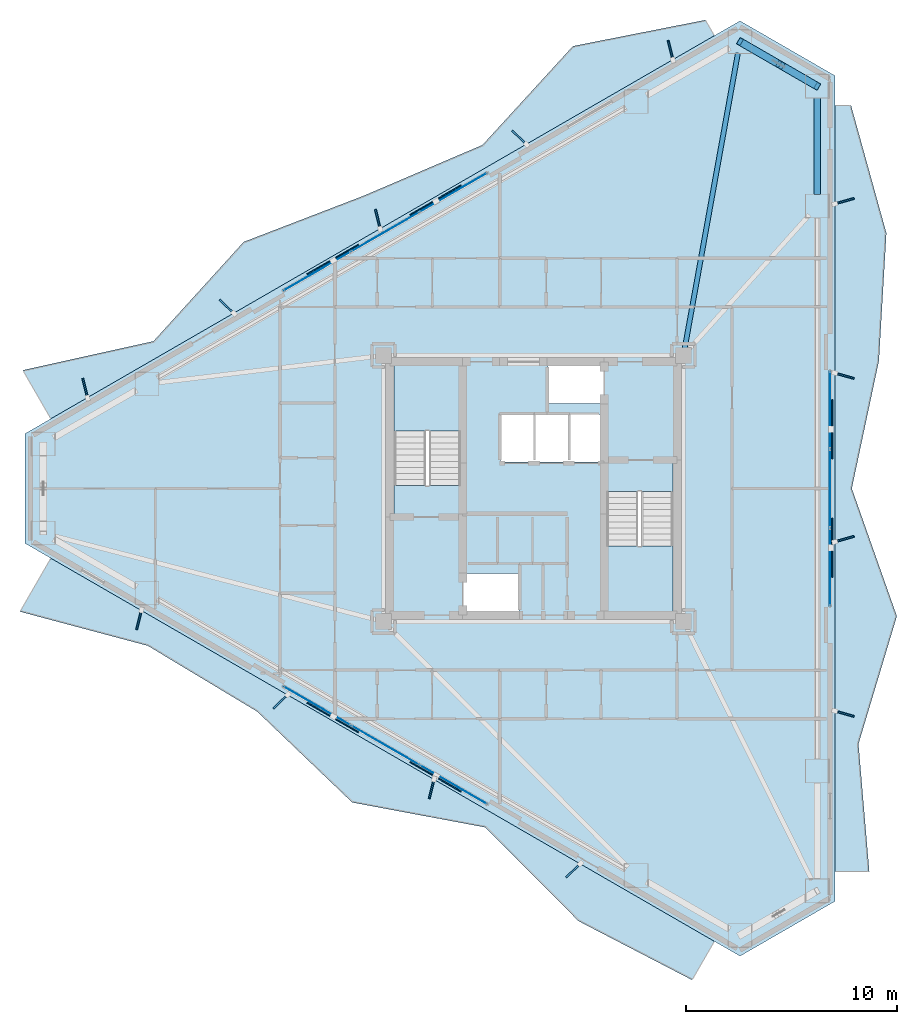
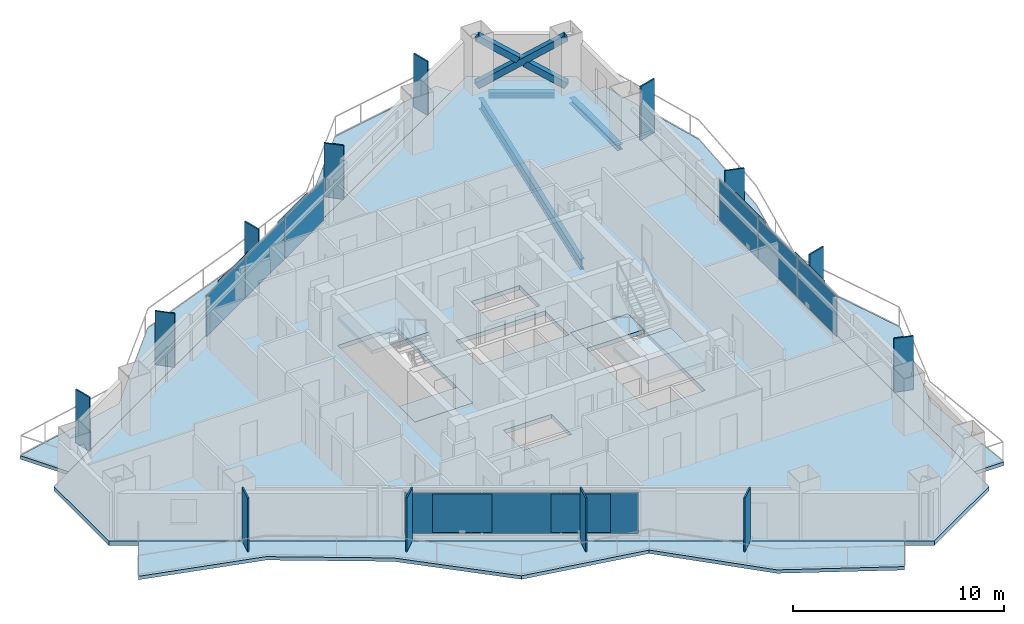
# One storey, part 14 of 22: 28 plates, 8 slabs, 3 beams, 3 members, 5 elements without a shape of their own.
"""IFC4 building model written with IfcOpenShell, lengths in metres."""

from ifc_helpers import new_model, si_unit, direction, frame, origin, origin_2d, place, context, subcontext, project, spatial, polyline, rectangle, hollow_rectangle, i_section, outline, extrude, material, layer, layer_set, material_profile, profile_set, type_object, element, aggregate, save


model = new_model("IFC4")

# Units and contexts
model_context = context("Model", 3, precision=1e-05, world=origin(), true_north=direction((0.0, 1.0)))
body_context = subcontext(model_context, "Body", "Model", "MODEL_VIEW")
ifc_project = project(units=[si_unit("LENGTHUNIT", "METRE"), si_unit("AREAUNIT", "SQUARE_METRE"), si_unit("VOLUMEUNIT", "CUBIC_METRE"), si_unit("PLANEANGLEUNIT", "RADIAN"), si_unit("MASSUNIT", "GRAM", prefix="KILO")], contexts=[model_context])

# Site, building, storey
site_placement = place(None, origin())
site = spatial("IfcSite", under=ifc_project, at=site_placement, CompositionType="ELEMENT")
building_placement = place(site_placement, origin())
building = spatial("IfcBuilding", under=site, at=building_placement, Name="Mersakhor Tower and Convention Hall", CompositionType="ELEMENT")
storey_placement = place(building_placement, frame((0.0, 0.0, 99.89990234375)))
storey = spatial("IfcBuildingStorey", under=building, at=storey_placement, Name="L27", CompositionType="ELEMENT", Elevation=99.89990234375)

# Beams
ifc_material_1 = material(Name="Steel S355", Category="steel")
ifc_material_profile_1 = material_profile(ifc_material_1, i_section(OverallWidth=0.22900390625, OverallDepth=0.6123046875, WebThickness=0.011962890625, FlangeThickness=0.01953125, at=origin_2d()), Name="UB 610x229x125")
ifc_profile_set_1 = profile_set([ifc_material_profile_1], Name="Steel S355")
beam_type_1 = type_object("IfcBeamType", Name="BM-PR-610", PredefinedType="BEAM", material=ifc_profile_set_1)
beam_1_placement = place(storey_placement, frame((36.1630859375, 33.3994140625, -0.555908203125), z_axis=(0.177407335198, 0.984137509405, 0.0), x_axis=(-0.984137509405, 0.177407335198, 0.0)))
element("IfcBeam", 1, at=beam_1_placement, inside=storey, type_object=beam_type_1, Name="L27 Primary Floor Girder FG-2", PredefinedType="BEAM", context=body_context, shape_type="SweptSolid", body=[
    extrude(i_section(OverallWidth=0.22900390625, OverallDepth=0.6123046875, WebThickness=0.011962890625, FlangeThickness=0.01953125, at=origin_2d()), origin(), (0.0, 0.0, 1.0), 14.188232421875),
])
ifc_material_2 = material(Name="Steel S355", Category="steel")
ifc_material_profile_2 = material_profile(ifc_material_2, i_section(OverallWidth=0.30908203125, OverallDepth=0.320556640625, WebThickness=0.013916015625, FlangeThickness=0.021728515625, at=origin_2d()), Name="UC 305x305x137")
ifc_profile_set_2 = profile_set([ifc_material_profile_2], Name="Steel S355")
beam_type_2 = type_object("IfcBeamType", Name="BM-SPD-UC305", PredefinedType="SPANDREL", material=ifc_profile_set_2)
beam_2_placement = place(storey_placement, frame((39.25927734375, 47.631103515625, -0.41015625), z_axis=(0.866052319632, -0.499953377486, 0.0), x_axis=(0.499953377486, 0.866052319632, 0.0)))
element("IfcBeam", 2, at=beam_2_placement, inside=storey, type_object=beam_type_2, Name="L27 Perimeter Spandrel Beam SPB-04", PredefinedType="SPANDREL", context=body_context, shape_type="SweptSolid", body=[
    extrude(i_section(OverallWidth=0.30908203125, OverallDepth=0.320556640625, WebThickness=0.013916015625, FlangeThickness=0.021728515625, at=origin_2d()), origin(), (0.0, 0.0, 1.0), 3.111572265625),
])
beam_3_placement = place(storey_placement, frame((42.4345703125, 45.242919921875, -0.41015625), z_axis=(0.0, -1.0, 0.0), x_axis=(1.0, 0.0, 0.0)))
element("IfcBeam", 3, at=beam_3_placement, inside=storey, type_object=beam_type_2, Name="L27 Perimeter Spandrel Beam SPB-05", PredefinedType="SPANDREL", context=body_context, shape_type="SweptSolid", body=[
    extrude(i_section(OverallWidth=0.30908203125, OverallDepth=0.320556640625, WebThickness=0.013916015625, FlangeThickness=0.021728515625, at=origin_2d()), origin(), (0.0, 0.0, 1.0), 4.566162109375),
])

# Members
ifc_material_3 = material(Name="Steel S460", Category="steel")
ifc_material_profile_3 = material_profile(ifc_material_3, hollow_rectangle(XDim=0.35009765625, YDim=0.35009765625, WallThickness=0.02001953125, at=origin_2d()), Name="SHS 350x350x20")
ifc_profile_set_3 = profile_set([ifc_material_profile_3], Name="Steel S460")
member_type = type_object("IfcMemberType", Name="MB-BRC-SHS350", PredefinedType="BRACE", material=ifc_profile_set_3)
member_placement = place(storey_placement, frame((38.77880859375, 47.90869140625, 0.150146484375), z_axis=(0.725633725484, -0.418933054415, 0.545848689986), x_axis=(0.49998946241, 0.866031487579, 0.0)))
element("IfcMember", 4, at=member_placement, inside=storey, type_object=member_type, Name="L27 Chamfer Braced Frame Diagonal CB-1A", PredefinedType="BRACE", context=body_context, shape_type="SweptSolid", body=[
    extrude(hollow_rectangle(XDim=0.35009765625, YDim=0.35009765625, WallThickness=0.02001953125, at=origin_2d()), origin(), (0.0, 0.0, 1.0), 5.0380859375),
])
for number, where, z_axis, x_axis, name in (
    (5, (42.4345703125, 45.798095703125, 0.150146484375), (-0.725684866011, 0.418886985747, 0.545816057307), (-0.499921796684, -0.866070549782, 0.0), "L27 Chamfer Braced Frame Diagonal CB-1B Lower Half"),
    (6, (40.4619140625, 46.93701171875, 1.6337890625), (-0.725593346201, 0.41889491121, 0.545931634283), (-0.499976186015, -0.866039152359, 0.0), "L27 Chamfer Braced Frame Diagonal CB-1B Upper Half"),
):
    element("IfcMember", number, at=place(storey_placement, frame(where, z_axis=z_axis, x_axis=x_axis)), inside=storey, type_object=member_type, Name=name, PredefinedType="BRACE", context=body_context, shape_type="SweptSolid", body=[
        extrude(hollow_rectangle(XDim=0.35009765625, YDim=0.35009765625, WallThickness=0.02001953125, at=origin_2d()), origin(), (0.0, 0.0, 1.0), 2.319580078125),
    ])

# Curtain wall, plates
ifc_material_4 = material(Name="Dark solar low-E aluminium curtain wall", Category="aluminium")
ifc_layer_1 = layer(ifc_material_4, 0.159912109375)
ifc_layer_set_1 = layer_set([ifc_layer_1], Name="Dark solar low-E aluminium curtain wall")
curtain_wall_type = type_object("IfcCurtainWallType", Name="CW-SYS-01", PredefinedType="USERDEFINED", material=ifc_layer_set_1)
curtain_wall_1_placement = place(storey_placement, origin())
curtain_wall_1 = element("IfcCurtainWall", 7, at=curtain_wall_1_placement, inside=storey, type_object=curtain_wall_type, Name="L27 Dark-Glass Curtain Wall F1-B2", ObjectType="CURTAIN WALL", PredefinedType="USERDEFINED")
ifc_material_5 = material(Name="Dark solar double glazing", Category="glass")
ifc_layer_2 = layer(ifc_material_5, 0.02392578125)
ifc_layer_set_2 = layer_set([ifc_layer_2], Name="Dark solar double glazing")
plate_type_1 = type_object("IfcPlateType", Name="CWP-GLZ-24", PredefinedType="CURTAIN_PANEL", material=ifc_layer_set_2)
plate_1_placement = place(storey_placement, frame((18.75732421875, 37.042236328125, 0.260009765625), z_axis=(0.0, 0.0, 1.0), x_axis=(0.866026613339, 0.499997904985, 0.0)))
plate_1 = element("IfcPlate", 8, at=plate_1_placement, type_object=plate_type_1, Name="CW-01 panel 1.1", PredefinedType="CURTAIN_PANEL", context=body_context, shape_type="SweptSolid", body=[
    extrude(rectangle(XDim=3.630615234375, YDim=0.02392578125, at=origin_2d()), origin(), (0.0, 0.0, 1.0), 2.35009765625),
])
plate_2_placement = place(storey_placement, frame((21.982666015625, 38.904296875, 0.260009765625), z_axis=(0.0, 0.0, 1.0), x_axis=(0.866026613339, 0.499997904985, 0.0)))
plate_2 = element("IfcPlate", 9, at=plate_2_placement, type_object=plate_type_1, Name="CW-01 panel 2.1", PredefinedType="CURTAIN_PANEL", context=body_context, shape_type="SweptSolid", body=[
    extrude(rectangle(XDim=3.668212890625, YDim=0.02392578125, at=origin_2d()), origin(), (0.0, 0.0, 1.0), 2.35009765625),
])
plate_3_placement = place(storey_placement, frame((25.2080078125, 40.7666015625, 0.260009765625), z_axis=(0.0, 0.0, 1.0), x_axis=(0.866026613339, 0.499997904985, 0.0)))
plate_3 = element("IfcPlate", 10, at=plate_3_placement, type_object=plate_type_1, Name="CW-01 panel 3.1", PredefinedType="CURTAIN_PANEL", context=body_context, shape_type="SweptSolid", body=[
    extrude(rectangle(XDim=3.630615234375, YDim=0.02392578125, at=origin_2d()), origin(), (0.0, 0.0, 1.0), 2.35009765625),
])
aggregate(curtain_wall_1, [plate_1, plate_2, plate_3])

curtain_wall_2_placement = place(storey_placement, origin())
curtain_wall_2 = element("IfcCurtainWall", 11, at=curtain_wall_2_placement, inside=storey, type_object=curtain_wall_type, Name="L27 Dark-Glass Curtain Wall F2-B2", ObjectType="CURTAIN WALL", PredefinedType="USERDEFINED")
plate_4_placement = place(storey_placement, frame((43.03466796875, 30.474365234375, 0.260009765625), z_axis=(0.0, 0.0, 1.0), x_axis=(0.0, -1.0, 0.0)))
plate_4 = element("IfcPlate", 12, at=plate_4_placement, type_object=plate_type_1, Name="CW-01 panel 1.1", PredefinedType="CURTAIN_PANEL", context=body_context, shape_type="SweptSolid", body=[
    extrude(rectangle(XDim=3.630615234375, YDim=0.02392578125, at=origin_2d()), origin(), (0.0, 0.0, 1.0), 2.35009765625),
])
plate_5_placement = place(storey_placement, frame((43.03466796875, 26.75, 0.260009765625), z_axis=(0.0, 0.0, 1.0), x_axis=(0.0, -1.0, 0.0)))
plate_5 = element("IfcPlate", 13, at=plate_5_placement, type_object=plate_type_1, Name="CW-01 panel 2.1", PredefinedType="CURTAIN_PANEL", context=body_context, shape_type="SweptSolid", body=[
    extrude(rectangle(XDim=3.668212890625, YDim=0.02392578125, at=origin_2d()), origin(), (0.0, 0.0, 1.0), 2.35009765625),
])
plate_6_placement = place(storey_placement, frame((43.03466796875, 23.025634765625, 0.260009765625), z_axis=(0.0, 0.0, 1.0), x_axis=(0.0, -1.0, 0.0)))
plate_6 = element("IfcPlate", 14, at=plate_6_placement, type_object=plate_type_1, Name="CW-01 panel 3.1", PredefinedType="CURTAIN_PANEL", context=body_context, shape_type="SweptSolid", body=[
    extrude(rectangle(XDim=3.630615234375, YDim=0.02392578125, at=origin_2d()), origin(), (0.0, 0.0, 1.0), 2.35009765625),
])
aggregate(curtain_wall_2, [plate_4, plate_5, plate_6])

curtain_wall_3_placement = place(storey_placement, origin())
curtain_wall_3 = element("IfcCurtainWall", 15, at=curtain_wall_3_placement, inside=storey, type_object=curtain_wall_type, Name="L27 Dark-Glass Curtain Wall F3-B2", ObjectType="CURTAIN WALL", PredefinedType="USERDEFINED")
plate_7_placement = place(storey_placement, frame((25.2080078125, 12.7333984375, 0.260009765625), z_axis=(0.0, 0.0, 1.0), x_axis=(-0.866026613339, 0.499997904985, 0.0)))
plate_7 = element("IfcPlate", 16, at=plate_7_placement, type_object=plate_type_1, Name="CW-01 panel 1.1", PredefinedType="CURTAIN_PANEL", context=body_context, shape_type="SweptSolid", body=[
    extrude(rectangle(XDim=3.630615234375, YDim=0.02392578125, at=origin_2d()), origin(), (0.0, 0.0, 1.0), 2.35009765625),
])
plate_8_placement = place(storey_placement, frame((21.982666015625, 14.595703125, 0.260009765625), z_axis=(0.0, 0.0, 1.0), x_axis=(-0.866026613339, 0.499997904985, 0.0)))
plate_8 = element("IfcPlate", 17, at=plate_8_placement, type_object=plate_type_1, Name="CW-01 panel 2.1", PredefinedType="CURTAIN_PANEL", context=body_context, shape_type="SweptSolid", body=[
    extrude(rectangle(XDim=3.668212890625, YDim=0.02392578125, at=origin_2d()), origin(), (0.0, 0.0, 1.0), 2.35009765625),
])
plate_9_placement = place(storey_placement, frame((18.75732421875, 16.457763671875, 0.260009765625), z_axis=(0.0, 0.0, 1.0), x_axis=(-0.866026613339, 0.499997904985, 0.0)))
plate_9 = element("IfcPlate", 18, at=plate_9_placement, type_object=plate_type_1, Name="CW-01 panel 3.1", PredefinedType="CURTAIN_PANEL", context=body_context, shape_type="SweptSolid", body=[
    extrude(rectangle(XDim=3.630615234375, YDim=0.02392578125, at=origin_2d()), origin(), (0.0, 0.0, 1.0), 2.35009765625),
])
aggregate(curtain_wall_3, [plate_7, plate_8, plate_9])

# Plates
ifc_material_6 = material(Name="Ceramic-clad aluminium Zone 2 emerald-teal", Category="aluminium")
ifc_material_7 = material(Name="Ceramic-clad aluminium Zone 1 cobalt-slate", Category="masonry")
ifc_layer_3 = layer(ifc_material_7, 0.080078125)
ifc_layer_set_3 = layer_set([ifc_layer_3], Name="Ceramic-clad aluminium Zone 1 cobalt-slate")
plate_type_2 = type_object("IfcPlateType", Name="PL-FIN-80", PredefinedType="USERDEFINED", material=ifc_layer_set_3)
for number, where, z_axis, x_axis, name in (
    (19, (7.7763671875, 31.4951171875, 0.0), (0.0, 0.0, 1.0), (-0.2419218956, 0.970295726276, 0.0), "L27 Zone 2 Coloured Brise-Soleil Fin F1-1"),
    (20, (14.477783203125, 35.364013671875, 0.0), (0.0, 0.0, 1.0), (-0.719339800339, 0.694658370459, 0.0), "L27 Zone 2 Coloured Brise-Soleil Fin F1-2"),
    (21, (21.6328125, 39.4951171875, 0.0), (0.0, 0.0, 1.0), (-0.2419218956, 0.970295726276, 0.0), "L27 Zone 2 Coloured Brise-Soleil Fin F1-3"),
    (22, (28.333984375, 43.364013671875, 0.0), (0.0, 0.0, 1.0), (-0.719339800339, 0.694658370459, 0.0), "L27 Zone 2 Coloured Brise-Soleil Fin F1-4"),
    (23, (35.489013671875, 47.4951171875, 0.0), (0.0, 0.0, 1.0), (-0.2419218956, 0.970295726276, 0.0), "L27 Zone 2 Coloured Brise-Soleil Fin F1-5"),
    (24, (43.72119140625, 40.35302734375, 0.0), (0.0, 0.0, 1.0), (0.961261695938, 0.275637355817, 0.0), "L27 Zone 2 Coloured Brise-Soleil Fin F2-1"),
    (25, (43.72119140625, 32.091064453125, 0.0), (0.0, 0.0, 1.0), (0.961261695938, -0.275637355817, 0.0), "L27 Zone 2 Coloured Brise-Soleil Fin F2-2"),
    (26, (43.72119140625, 24.35302734375, 0.0), (0.0, 0.0, 1.0), (0.961261695938, 0.275637355817, 0.0), "L27 Zone 2 Coloured Brise-Soleil Fin F2-3"),
    (27, (43.72119140625, 16.091064453125, 0.0), (0.0, 0.0, 1.0), (0.961261695938, -0.275637355817, 0.0), "L27 Zone 2 Coloured Brise-Soleil Fin F2-4"),
    (28, (30.8837890625, 8.663818359375, 0.0), (0.0, 0.0, 1.0), (-0.719339800339, -0.694658370459, 0.0), "L27 Zone 2 Coloured Brise-Soleil Fin F3-1"),
    (29, (24.182373046875, 12.532958984375, 0.0), (0.0, 0.0, 1.0), (-0.2419218956, -0.970295726276, 0.0), "L27 Zone 2 Coloured Brise-Soleil Fin F3-2"),
    (30, (17.02734375, 16.663818359375, 0.0), (0.0, 0.0, 1.0), (-0.719339800339, -0.694658370459, 0.0), "L27 Zone 2 Coloured Brise-Soleil Fin F3-3"),
    (31, (10.325927734375, 20.532958984375, 0.0), (0.0, 0.0, 1.0), (-0.2419218956, -0.970295726276, 0.0), "L27 Zone 2 Coloured Brise-Soleil Fin F3-4"),
):
    element("IfcPlate", number, at=place(storey_placement, frame(where, z_axis=z_axis, x_axis=x_axis)), inside=storey, type_object=plate_type_2, material=ifc_material_6, Name=name, ObjectType="FIN", PredefinedType="USERDEFINED", context=body_context, shape_type="SweptSolid", body=[
        extrude(rectangle(XDim=0.949951171875, YDim=0.080078125, at=origin_2d()), origin(), (0.0, 0.0, 1.0), 3.10009765625),
    ])
ifc_material_8 = material(Name="Perforated ceramic cobogo solar screen", Category="aluminium")
ifc_layer_4 = layer(ifc_material_8, 0.055908203125)
ifc_layer_set_4 = layer_set([ifc_layer_4], Name="Perforated ceramic cobogo solar screen")
plate_type_3 = type_object("IfcPlateType", Name="PL-SCR-56", PredefinedType="USERDEFINED", material=ifc_layer_set_4)
for number, where, z_axis, x_axis, name in (
    (32, (19.50244140625, 37.58544921875, 0.39990234375), (0.0, 0.0, 1.0), (0.866025403784, 0.5, 0.0), "L27 Perforated Ceramic Solar Screen F1-1"),
    (33, (24.364990234375, 40.392822265625, 0.39990234375), (0.0, 0.0, 1.0), (0.866025403784, 0.5, 0.0), "L27 Perforated Ceramic Solar Screen F1-2"),
    (34, (43.132568359375, 29.557373046875, 0.39990234375), (0.0, 0.0, 1.0), (0.0, -1.0, 0.0), "L27 Perforated Ceramic Solar Screen F2-1"),
    (35, (43.132568359375, 23.942626953125, 0.39990234375), (0.0, 0.0, 1.0), (0.0, -1.0, 0.0), "L27 Perforated Ceramic Solar Screen F2-2"),
    (36, (24.364990234375, 13.107177734375, 0.39990234375), (0.0, 0.0, 1.0), (-0.866025403784, 0.5, 0.0), "L27 Perforated Ceramic Solar Screen F3-1"),
    (37, (19.50244140625, 15.91455078125, 0.39990234375), (0.0, 0.0, 1.0), (-0.866025403784, 0.5, 0.0), "L27 Perforated Ceramic Solar Screen F3-2"),
):
    element("IfcPlate", number, at=place(storey_placement, frame(where, z_axis=z_axis, x_axis=x_axis)), inside=storey, type_object=plate_type_3, Name=name, ObjectType="SCREEN", PredefinedType="USERDEFINED", context=body_context, shape_type="SweptSolid", body=[
        extrude(rectangle(XDim=2.800048828125, YDim=0.055908203125, at=origin_2d()), origin(), (0.0, 0.0, 1.0), 2.219970703125),
    ])

# Slabs
ifc_material_9 = material(Name="Concrete C45/55", Category="concrete")
ifc_layer_5 = layer(ifc_material_9, 0.199951171875)
ifc_layer_set_5 = layer_set([ifc_layer_5], Name="Concrete C45/55")
slab_type_1 = type_object("IfcSlabType", Name="SL-BAL-200", PredefinedType="FLOOR", material=ifc_layer_set_5)
slab_1_placement = place(storey_placement, frame((0.0, 0.0, -0.199951171875)))
element("IfcSlab", 38, at=slab_1_placement, inside=storey, type_object=slab_type_1, Name="L27 Sinusoidal Balcony Slab Face 1", PredefinedType="FLOOR", context=body_context, shape_type="SweptSolid", body=[
    extrude(outline(polyline([(6.149169921875, 30.051513671875), (37.56640625, 48.190185546875), (37.137939453125, 48.931884765625), (30.8701171875, 47.69580078125), (26.589599609375, 43.017578125), (20.990478515625, 40.62255859375), (15.278564453125, 38.424072265625), (11.01025390625, 33.72412109375), (4.8212890625, 32.351318359375), (6.149169921875, 30.051513671875)])), origin(), (0.0, 0.0, 1.0), 0.199951171875),
])
slab_2_placement = place(storey_placement, frame((0.0, 0.0, -0.199951171875)))
element("IfcSlab", 39, at=slab_2_placement, inside=storey, type_object=slab_type_1, Name="L27 Sinusoidal Balcony Slab Face 2", PredefinedType="FLOOR", context=body_context, shape_type="SweptSolid", body=[
    extrude(outline(polyline([(43.28466796875, 44.888671875), (43.28466796875, 8.611328125), (44.900390625, 8.611328125), (44.38720703125, 14.657470703125), (46.20458984375, 20.703857421875), (44.0712890625, 26.75), (45.35498046875, 32.796142578125), (45.70849609375, 38.842529296875), (44.03466796875, 44.888671875), (43.28466796875, 44.888671875)])), origin(), (0.0, 0.0, 1.0), 0.199951171875),
])
slab_3_placement = place(storey_placement, frame((0.0, 0.0, -0.199951171875)))
element("IfcSlab", 40, at=slab_3_placement, inside=storey, type_object=slab_type_1, Name="L27 Sinusoidal Balcony Slab Face 3", PredefinedType="FLOOR", context=body_context, shape_type="SweptSolid", body=[
    extrude(outline(polyline([(37.56640625, 5.309814453125), (6.149169921875, 23.448486328125), (4.689208984375, 20.919677734375), (10.739013671875, 19.305908203125), (15.920166015625, 16.187255859375), (20.41796875, 11.885498046875), (26.718994140625, 10.70654296875), (31.13720703125, 6.2666015625), (36.509765625, 3.479736328125), (37.56640625, 5.309814453125)])), origin(), (0.0, 0.0, 1.0), 0.199951171875),
])
ifc_material_10 = material(Name="Concrete C40/50", Category="concrete")
ifc_layer_6 = layer(ifc_material_10, 0.25)
ifc_layer_set_6 = layer_set([ifc_layer_6], Name="Concrete C40/50")
slab_type_2 = type_object("IfcSlabType", Name="SL-FLR-250", PredefinedType="FLOOR", material=ifc_layer_set_6)
slab_4_placement = place(storey_placement, frame((0.0, 0.0, -0.25)))
element("IfcSlab", 41, at=slab_4_placement, inside=storey, type_object=slab_type_2, Name="L27 ST-1 Structural Stair Floor Landing", PredefinedType="LANDING", context=body_context, shape_type="SweptSolid", body=[
    extrude(outline(polyline([(25.550048828125, 25.39990234375), (25.550048828125, 26.89990234375), (22.39990234375, 26.89990234375), (22.39990234375, 25.39990234375), (25.550048828125, 25.39990234375)])), origin(), (0.0, 0.0, 1.0), 0.25),
])
slab_5_placement = place(storey_placement, frame((0.0, 0.0, -0.25)))
element("IfcSlab", 42, at=slab_5_placement, inside=storey, type_object=slab_type_2, Name="L27 ST-2 Structural Stair Floor Landing", PredefinedType="LANDING", context=body_context, shape_type="SweptSolid", body=[
    extrude(outline(polyline([(32.449951171875, 28.10009765625), (32.449951171875, 26.60009765625), (35.60009765625, 26.60009765625), (35.60009765625, 28.10009765625), (32.449951171875, 28.10009765625)])), origin(), (0.0, 0.0, 1.0), 0.25),
])
slab_6_placement = place(storey_placement, frame((0.0, 0.0, -0.25)))
element("IfcSlab", 43, at=slab_6_placement, inside=storey, type_object=slab_type_2, Name="Tower L27 Structural Floor Slab", PredefinedType="FLOOR", context=body_context, shape_type="SweptSolid", body=[
    extrude(outline(polyline([(4.936767578125, 29.3515625), (38.77880859375, 48.89013671875), (43.28466796875, 46.288818359375), (43.28466796875, 7.211181640625), (38.77880859375, 4.60986328125), (4.936767578125, 24.1484375), (4.936767578125, 29.3515625)]), holes=[polyline([(25.550048828125, 25.39990234375), (25.550048828125, 32.699951171875), (22.39990234375, 32.699951171875), (22.39990234375, 25.39990234375), (25.550048828125, 25.39990234375)]), polyline([(32.449951171875, 28.10009765625), (32.449951171875, 20.800048828125), (35.60009765625, 20.800048828125), (35.60009765625, 28.10009765625), (32.449951171875, 28.10009765625)]), polyline([(25.679931640625, 20.820068359375), (25.679931640625, 22.719970703125), (28.320068359375, 22.719970703125), (28.320068359375, 20.820068359375), (25.679931640625, 20.820068359375)]), polyline([(29.679931640625, 30.780029296875), (29.679931640625, 32.679931640625), (32.320068359375, 32.679931640625), (32.320068359375, 30.780029296875), (29.679931640625, 30.780029296875)]), polyline([(27.429931640625, 28.0), (27.429931640625, 30.25), (32.320068359375, 30.25), (32.320068359375, 28.0), (27.429931640625, 28.0)])]), origin(), (0.0, 0.0, 1.0), 0.25),
])

# Stair, slab
ifc_material_11 = material(Name="Concrete C45/55", Category="concrete")
stair_type = type_object("IfcStairType", Name="ST-TWR-20R", PredefinedType="HALF_TURN_STAIR", material=ifc_material_11)
stair_1_placement = place(storey_placement, origin())
stair_1 = element("IfcStair", 44, at=stair_1_placement, inside=storey, type_object=stair_type, Name="L27 Tower Protected Exit Stair ST-1", PredefinedType="HALF_TURN_STAIR")
ifc_material_12 = material(Name="Concrete C45/55", Category="concrete")
ifc_layer_7 = layer(ifc_material_12, 0.199951171875)
ifc_layer_set_7 = layer_set([ifc_layer_7], Name="Concrete C45/55")
slab_type_3 = type_object("IfcSlabType", Name="SL-LAND-200", PredefinedType="LANDING", material=ifc_layer_set_7)
slab_7_placement = place(storey_placement, frame((0.0, 0.0, 1.4501953125)))
slab_7 = element("IfcSlab", 45, at=slab_7_placement, type_object=slab_type_3, Name="ST-1 landing 1", PredefinedType="LANDING", context=body_context, shape_type="SweptSolid", body=[
    extrude(outline(polyline([(25.550048828125, 29.465087890625), (25.550048828125, 32.699951171875), (22.39990234375, 32.699951171875), (22.39990234375, 29.465087890625), (25.550048828125, 29.465087890625)])), origin(), (0.0, 0.0, 1.0), 0.199951171875),
])
aggregate(stair_1, [slab_7])

stair_2_placement = place(storey_placement, origin())
stair_2 = element("IfcStair", 46, at=stair_2_placement, inside=storey, type_object=stair_type, Name="L27 Tower Protected Exit Stair ST-2", PredefinedType="HALF_TURN_STAIR")
slab_8_placement = place(storey_placement, frame((0.0, 0.0, 1.4501953125)))
slab_8 = element("IfcSlab", 47, at=slab_8_placement, type_object=slab_type_3, Name="ST-2 landing 1", PredefinedType="LANDING", context=body_context, shape_type="SweptSolid", body=[
    extrude(outline(polyline([(32.449951171875, 24.034912109375), (32.449951171875, 20.800048828125), (35.60009765625, 20.800048828125), (35.60009765625, 24.034912109375), (32.449951171875, 24.034912109375)])), origin(), (0.0, 0.0, 1.0), 0.199951171875),
])
aggregate(stair_2, [slab_8])

save(model, "model.ifc")
